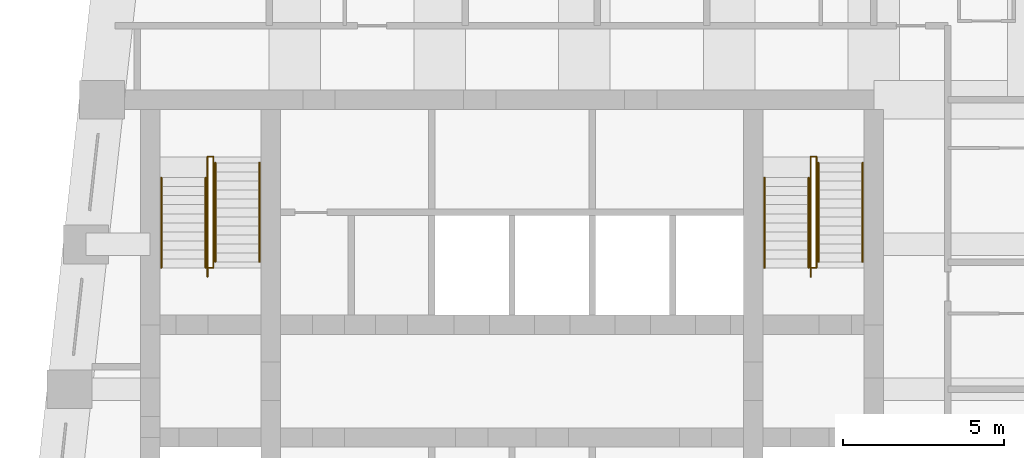
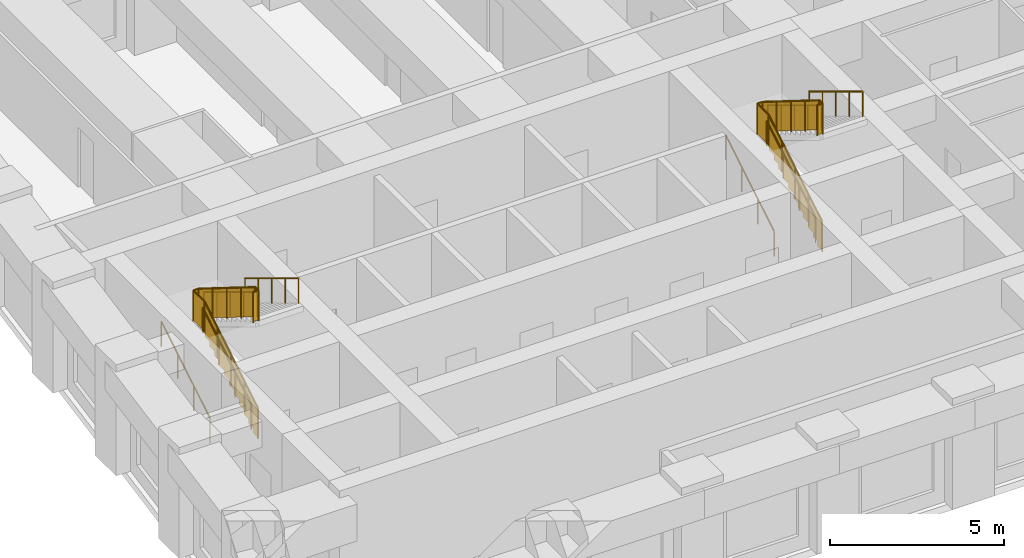
# One storey, part 7 of 7: 12 railings.
"""IFC4 building model written with IfcOpenShell, lengths in metres."""

from ifc_helpers import new_model, si_unit, direction, frame, origin, origin_2d, place, context, subcontext, project, spatial, polyline, circle, outline, extrude, material, type_object, element, save


model = new_model("IFC4")

# Units and contexts
model_context = context("Model", 3, precision=1e-05, world=origin(), true_north=direction((0.0, 1.0)))
body_context = subcontext(model_context, "Body", "Model", "MODEL_VIEW")
ifc_project = project(units=[si_unit("LENGTHUNIT", "METRE"), si_unit("AREAUNIT", "SQUARE_METRE"), si_unit("VOLUMEUNIT", "CUBIC_METRE"), si_unit("PLANEANGLEUNIT", "RADIAN"), si_unit("MASSUNIT", "GRAM", prefix="KILO")], contexts=[model_context])

# Site, building, storey
site_placement = place(None, origin())
site = spatial("IfcSite", under=ifc_project, at=site_placement, CompositionType="ELEMENT")
building_placement = place(site_placement, origin())
building = spatial("IfcBuilding", under=site, at=building_placement, Name="Kilele Tower Hotel", CompositionType="ELEMENT")
storey_placement = place(building_placement, frame((0.0, 0.0, 274.10009765625)))
storey = spatial("IfcBuildingStorey", under=building, at=storey_placement, Name="L70", CompositionType="ELEMENT", Elevation=274.10009765625)

# Railings
ifc_material_1 = material(Name="Steel handrail", Category="steel")
railing_type_1 = type_object("IfcRailingType", Name="Handrail 900", PredefinedType="HANDRAIL", material=ifc_material_1)
for number, where, name in (
    (1, (13.85009765625, 21.77490234375, 0.16943359375), "Handrail ST1 flight 1"),
    (2, (15.22509765625, 21.77490234375, 0.16943359375), "Handrail ST1 flight 1"),
):
    element("IfcRailing", number, at=place(storey_placement, frame(where)), inside=storey, type_object=railing_type_1, Name=name, PredefinedType="HANDRAIL", context=body_context, shape_type="SweptSolid", body=[
        extrude(circle(Radius=0.02490234375, at=origin_2d()), frame((0.0, 0.0, 0.875), z_axis=(0.0, 0.855360072898, 0.518033923302), x_axis=(-1.0, 0.0, 0.0)), (0.0, 0.0, 1.0), 3.2734375),
        extrude(circle(Radius=0.02001953125, at=origin_2d()), origin(), (0.0, 0.0, 1.0), 0.849853515625),
        extrude(circle(Radius=0.02001953125, at=origin_2d()), frame((0.0, 0.933349609375, 0.565185546875)), (0.0, 0.0, 1.0), 0.849853515625),
        extrude(circle(Radius=0.02001953125, at=origin_2d()), frame((0.0, 1.86669921875, 1.130615234375)), (0.0, 0.0, 1.0), 0.849853515625),
        extrude(circle(Radius=0.02001953125, at=origin_2d()), frame((0.0, 2.800048828125, 1.69580078125)), (0.0, 0.0, 1.0), 0.849853515625),
    ])
for number, where, name in (
    (3, (15.52490234375, 25.0400390625, 2.03466796875), "Handrail ST1 flight 2"),
    (4, (16.89990234375, 25.0400390625, 2.03466796875), "Handrail ST1 flight 2"),
):
    element("IfcRailing", number, at=place(storey_placement, frame(where)), inside=storey, type_object=railing_type_1, Name=name, PredefinedType="HANDRAIL", context=body_context, shape_type="SweptSolid", body=[
        extrude(circle(Radius=0.02490234375, at=origin_2d()), frame((0.0, 0.0, 0.875), z_axis=(0.0, -0.855379917629, 0.518001154937), x_axis=(1.0, 0.0, 0.0)), (0.0, 0.0, 1.0), 3.600830078125),
        extrude(circle(Radius=0.02001953125, at=origin_2d()), origin(), (0.0, 0.0, 1.0), 0.849853515625),
        extrude(circle(Radius=0.02001953125, at=origin_2d()), frame((0.0, -0.77001953125, 0.46630859375)), (0.0, 0.0, 1.0), 0.849853515625),
        extrude(circle(Radius=0.02001953125, at=origin_2d()), frame((0.0, -1.5400390625, 0.9326171875)), (0.0, 0.0, 1.0), 0.849853515625),
        extrude(circle(Radius=0.02001953125, at=origin_2d()), frame((0.0, -2.31005859375, 1.39892578125)), (0.0, 0.0, 1.0), 0.849853515625),
        extrude(circle(Radius=0.02001953125, at=origin_2d()), frame((0.0, -3.080078125, 1.865234375)), (0.0, 0.0, 1.0), 0.849853515625),
    ])
for number, where, name in (
    (5, (32.60009765625, 21.77490234375, 0.16943359375), "Handrail ST2 flight 1"),
    (6, (33.97509765625, 21.77490234375, 0.16943359375), "Handrail ST2 flight 1"),
):
    element("IfcRailing", number, at=place(storey_placement, frame(where)), inside=storey, type_object=railing_type_1, Name=name, PredefinedType="HANDRAIL", context=body_context, shape_type="SweptSolid", body=[
        extrude(circle(Radius=0.02490234375, at=origin_2d()), frame((0.0, 0.0, 0.875), z_axis=(0.0, 0.855360072898, 0.518033923302), x_axis=(-1.0, 0.0, 0.0)), (0.0, 0.0, 1.0), 3.2734375),
        extrude(circle(Radius=0.02001953125, at=origin_2d()), origin(), (0.0, 0.0, 1.0), 0.849853515625),
        extrude(circle(Radius=0.02001953125, at=origin_2d()), frame((0.0, 0.933349609375, 0.565185546875)), (0.0, 0.0, 1.0), 0.849853515625),
        extrude(circle(Radius=0.02001953125, at=origin_2d()), frame((0.0, 1.86669921875, 1.130615234375)), (0.0, 0.0, 1.0), 0.849853515625),
        extrude(circle(Radius=0.02001953125, at=origin_2d()), frame((0.0, 2.800048828125, 1.69580078125)), (0.0, 0.0, 1.0), 0.849853515625),
    ])
for number, where, name in (
    (7, (34.27490234375, 25.0400390625, 2.03466796875), "Handrail ST2 flight 2"),
    (8, (35.64990234375, 25.0400390625, 2.03466796875), "Handrail ST2 flight 2"),
):
    element("IfcRailing", number, at=place(storey_placement, frame(where)), inside=storey, type_object=railing_type_1, Name=name, PredefinedType="HANDRAIL", context=body_context, shape_type="SweptSolid", body=[
        extrude(circle(Radius=0.02490234375, at=origin_2d()), frame((0.0, 0.0, 0.875), z_axis=(0.0, -0.855379917629, 0.518001154937), x_axis=(1.0, 0.0, 0.0)), (0.0, 0.0, 1.0), 3.600830078125),
        extrude(circle(Radius=0.02001953125, at=origin_2d()), origin(), (0.0, 0.0, 1.0), 0.849853515625),
        extrude(circle(Radius=0.02001953125, at=origin_2d()), frame((0.0, -0.77001953125, 0.46630859375)), (0.0, 0.0, 1.0), 0.849853515625),
        extrude(circle(Radius=0.02001953125, at=origin_2d()), frame((0.0, -1.5400390625, 0.9326171875)), (0.0, 0.0, 1.0), 0.849853515625),
        extrude(circle(Radius=0.02001953125, at=origin_2d()), frame((0.0, -2.31005859375, 1.39892578125)), (0.0, 0.0, 1.0), 0.849853515625),
        extrude(circle(Radius=0.02001953125, at=origin_2d()), frame((0.0, -3.080078125, 1.865234375)), (0.0, 0.0, 1.0), 0.849853515625),
    ])
ifc_material_2 = material(Name="Steel guard", Category="steel")
railing_type_2 = type_object("IfcRailingType", Name="Stair guard 1100", PredefinedType="GUARDRAIL", material=ifc_material_2)
railing_1_placement = place(storey_placement, frame((15.284912109375, 21.4951171875, 0.0)))
element("IfcRailing", 9, at=railing_1_placement, inside=storey, type_object=railing_type_2, Name="Stair well guard ST1 flight 1", PredefinedType="GUARDRAIL", context=body_context, shape_type="SweptSolid", body=[
    extrude(circle(Radius=0.02490234375, at=origin_2d()), frame((0.0, 0.0, 1.0751953125), z_axis=(0.0, 0.855391767622, 0.517981586434), x_axis=(-1.0, 0.0, 0.0)), (0.0, 0.0, 1.0), 3.6005859375),
    extrude(circle(Radius=0.02490234375, at=origin_2d()), frame((0.0, 3.079833984375, 2.93994140625), z_axis=(0.0, 1.0, 0.0), x_axis=(-1.0, 0.0, 0.0)), (0.0, 0.0, 1.0), 0.650146484375),
    extrude(circle(Radius=0.02490234375, at=origin_2d()), frame((0.0, 3.72998046875, 2.93994140625), z_axis=(1.0, 0.0, 0.0), x_axis=(0.0, 1.0, 0.0)), (0.0, 0.0, 1.0), 0.18017578125),
    extrude(circle(Radius=0.02490234375, at=origin_2d()), origin(), (0.0, 0.0, 1.0), 1.050048828125),
    extrude(circle(Radius=0.02490234375, at=origin_2d()), frame((0.0, 0.77001953125, 0.46630859375)), (0.0, 0.0, 1.0), 1.050048828125),
    extrude(circle(Radius=0.02490234375, at=origin_2d()), frame((0.0, 1.5400390625, 0.9326171875)), (0.0, 0.0, 1.0), 1.050048828125),
    extrude(circle(Radius=0.02490234375, at=origin_2d()), frame((0.0, 2.309814453125, 1.398681640625)), (0.0, 0.0, 1.0), 1.050048828125),
    extrude(circle(Radius=0.02490234375, at=origin_2d()), frame((0.0, 3.079833984375, 1.864990234375)), (0.0, 0.0, 1.0), 1.050048828125),
    extrude(circle(Radius=0.02490234375, at=origin_2d()), frame((0.0, 3.72998046875, 1.864990234375)), (0.0, 0.0, 1.0), 1.050048828125),
    extrude(circle(Radius=0.02490234375, at=origin_2d()), frame((0.18017578125, 3.72998046875, 1.864990234375)), (0.0, 0.0, 1.0), 1.050048828125),
    extrude(outline(polyline([(0.012451171875, 0.030029296875), (0.25, 0.030029296875), (0.25, 0.199462890625), (0.530029296875, 0.199462890625), (0.530029296875, 0.369140625), (0.809814453125, 0.369140625), (0.809814453125, 0.53857421875), (1.08984375, 0.53857421875), (1.08984375, 0.708251953125), (1.369873046875, 0.708251953125), (1.369873046875, 0.877685546875), (1.64990234375, 0.877685546875), (1.64990234375, 1.04736328125), (1.929931640625, 1.04736328125), (1.929931640625, 1.216796875), (2.2099609375, 1.216796875), (2.2099609375, 1.386474609375), (2.48974609375, 1.386474609375), (2.48974609375, 1.555908203125), (2.769775390625, 1.555908203125), (2.769775390625, 1.7255859375), (3.0498046875, 1.7255859375), (3.0498046875, 1.89501953125), (3.0673828125, 1.89501953125), (3.0673828125, 2.9033203125), (0.012451171875, 1.053466796875), (0.012451171875, 0.030029296875)])), frame((-0.005859375, 0.0, 0.0), z_axis=(1.0, 0.0, 0.0), x_axis=(0.0, 1.0, 0.0)), (0.0, 0.0, 1.0), 0.011962890625),
    extrude(outline(polyline([(0.012451171875, 0.030029296875), (0.6376953125, 0.030029296875), (0.6376953125, 1.050048828125), (0.012451171875, 1.050048828125), (0.012451171875, 0.030029296875)])), frame((-0.005859375, 3.079833984375, 1.864990234375), z_axis=(1.0, 0.0, 0.0), x_axis=(0.0, 1.0, 0.0)), (0.0, 0.0, 1.0), 0.011962890625),
    extrude(outline(polyline([(0.012451171875, 0.030029296875), (0.18017578125, 0.030029296875), (0.18017578125, 1.050048828125), (0.012451171875, 1.050048828125), (0.012451171875, 0.030029296875)])), frame((0.0, 3.73583984375, 1.864990234375), z_axis=(0.0, -1.0, 0.0), x_axis=(1.0, 0.0, 0.0)), (0.0, 0.0, 1.0), 0.011962890625),
])
railing_2_placement = place(storey_placement, frame((15.465087890625, 25.22509765625, 1.864990234375)))
element("IfcRailing", 10, at=railing_2_placement, inside=storey, type_object=railing_type_2, Name="Stair well guard ST1 flight 2", PredefinedType="GUARDRAIL", context=body_context, shape_type="SweptSolid", body=[
    extrude(circle(Radius=0.02490234375, at=origin_2d()), frame((0.0, 0.0, 1.0751953125), z_axis=(0.0, -0.848674962302, 0.528914745834), x_axis=(1.0, 0.0, 0.0)), (0.0, 0.0, 1.0), 3.847412109375),
    extrude(circle(Radius=0.02490234375, at=origin_2d()), frame((0.0, -3.26513671875, 3.10986328125), z_axis=(0.0, -1.0, 0.0), x_axis=(1.0, 0.0, 0.0)), (0.0, 0.0, 1.0), 0.18505859375),
    extrude(circle(Radius=0.02490234375, at=origin_2d()), frame((0.0, -3.4501953125, 3.10986328125), z_axis=(-1.0, 0.0, 0.0), x_axis=(0.0, -1.0, 0.0)), (0.0, 0.0, 1.0), 0.18017578125),
    extrude(circle(Radius=0.02490234375, at=origin_2d()), origin(), (0.0, 0.0, 1.0), 1.050048828125),
    extrude(circle(Radius=0.02490234375, at=origin_2d()), frame((0.0, -0.81640625, 0.5087890625)), (0.0, 0.0, 1.0), 1.050048828125),
    extrude(circle(Radius=0.02490234375, at=origin_2d()), frame((0.0, -1.632568359375, 1.017578125)), (0.0, 0.0, 1.0), 1.050048828125),
    extrude(circle(Radius=0.02490234375, at=origin_2d()), frame((0.0, -2.44873046875, 1.526123046875)), (0.0, 0.0, 1.0), 1.050048828125),
    extrude(circle(Radius=0.02490234375, at=origin_2d()), frame((0.0, -3.26513671875, 2.034912109375)), (0.0, 0.0, 1.0), 1.050048828125),
    extrude(circle(Radius=0.02490234375, at=origin_2d()), frame((0.0, -3.4501953125, 2.034912109375)), (0.0, 0.0, 1.0), 1.050048828125),
    extrude(circle(Radius=0.02490234375, at=origin_2d()), frame((-0.18017578125, -3.4501953125, 2.034912109375)), (0.0, 0.0, 1.0), 1.050048828125),
    extrude(outline(polyline([(0.0, 0.030029296875), (3.252685546875, 2.05712890625), (3.252685546875, 3.07275390625), (0.0, 1.045654296875), (0.0, 0.030029296875)])), frame((0.005859375, 0.0, 0.0), z_axis=(-1.0, 0.0, 0.0), x_axis=(0.0, -1.0, 0.0)), (0.0, 0.0, 1.0), 0.011962890625),
    extrude(outline(polyline([(0.012451171875, 0.030029296875), (0.172607421875, 0.030029296875), (0.172607421875, 1.050048828125), (0.012451171875, 1.050048828125), (0.012451171875, 0.030029296875)])), frame((0.005859375, -3.26513671875, 2.034912109375), z_axis=(-1.0, 0.0, 0.0), x_axis=(0.0, -1.0, 0.0)), (0.0, 0.0, 1.0), 0.011962890625),
    extrude(outline(polyline([(0.012451171875, 0.030029296875), (0.18017578125, 0.030029296875), (0.18017578125, 1.050048828125), (0.012451171875, 1.050048828125), (0.012451171875, 0.030029296875)])), frame((0.0, -3.4560546875, 2.034912109375), z_axis=(0.0, 1.0, 0.0), x_axis=(-1.0, 0.0, 0.0)), (0.0, 0.0, 1.0), 0.011962890625),
])
railing_3_placement = place(storey_placement, frame((34.034912109375, 21.4951171875, 0.0)))
element("IfcRailing", 11, at=railing_3_placement, inside=storey, type_object=railing_type_2, Name="Stair well guard ST2 flight 1", PredefinedType="GUARDRAIL", context=body_context, shape_type="SweptSolid", body=[
    extrude(circle(Radius=0.02490234375, at=origin_2d()), frame((0.0, 0.0, 1.0751953125), z_axis=(0.0, 0.855391767622, 0.517981586434), x_axis=(-1.0, 0.0, 0.0)), (0.0, 0.0, 1.0), 3.6005859375),
    extrude(circle(Radius=0.02490234375, at=origin_2d()), frame((0.0, 3.079833984375, 2.93994140625), z_axis=(0.0, 1.0, 0.0), x_axis=(-1.0, 0.0, 0.0)), (0.0, 0.0, 1.0), 0.650146484375),
    extrude(circle(Radius=0.02490234375, at=origin_2d()), frame((0.0, 3.72998046875, 2.93994140625), z_axis=(1.0, 0.0, 0.0), x_axis=(0.0, 1.0, 0.0)), (0.0, 0.0, 1.0), 0.18017578125),
    extrude(circle(Radius=0.02490234375, at=origin_2d()), origin(), (0.0, 0.0, 1.0), 1.050048828125),
    extrude(circle(Radius=0.02490234375, at=origin_2d()), frame((0.0, 0.77001953125, 0.46630859375)), (0.0, 0.0, 1.0), 1.050048828125),
    extrude(circle(Radius=0.02490234375, at=origin_2d()), frame((0.0, 1.5400390625, 0.9326171875)), (0.0, 0.0, 1.0), 1.050048828125),
    extrude(circle(Radius=0.02490234375, at=origin_2d()), frame((0.0, 2.309814453125, 1.398681640625)), (0.0, 0.0, 1.0), 1.050048828125),
    extrude(circle(Radius=0.02490234375, at=origin_2d()), frame((0.0, 3.079833984375, 1.864990234375)), (0.0, 0.0, 1.0), 1.050048828125),
    extrude(circle(Radius=0.02490234375, at=origin_2d()), frame((0.0, 3.72998046875, 1.864990234375)), (0.0, 0.0, 1.0), 1.050048828125),
    extrude(circle(Radius=0.02490234375, at=origin_2d()), frame((0.18017578125, 3.72998046875, 1.864990234375)), (0.0, 0.0, 1.0), 1.050048828125),
    extrude(outline(polyline([(0.012451171875, 0.030029296875), (0.25, 0.030029296875), (0.25, 0.199462890625), (0.530029296875, 0.199462890625), (0.530029296875, 0.369140625), (0.809814453125, 0.369140625), (0.809814453125, 0.53857421875), (1.08984375, 0.53857421875), (1.08984375, 0.708251953125), (1.369873046875, 0.708251953125), (1.369873046875, 0.877685546875), (1.64990234375, 0.877685546875), (1.64990234375, 1.04736328125), (1.929931640625, 1.04736328125), (1.929931640625, 1.216796875), (2.2099609375, 1.216796875), (2.2099609375, 1.386474609375), (2.48974609375, 1.386474609375), (2.48974609375, 1.555908203125), (2.769775390625, 1.555908203125), (2.769775390625, 1.7255859375), (3.0498046875, 1.7255859375), (3.0498046875, 1.89501953125), (3.0673828125, 1.89501953125), (3.0673828125, 2.9033203125), (0.012451171875, 1.053466796875), (0.012451171875, 0.030029296875)])), frame((-0.005859375, 0.0, 0.0), z_axis=(1.0, 0.0, 0.0), x_axis=(0.0, 1.0, 0.0)), (0.0, 0.0, 1.0), 0.011962890625),
    extrude(outline(polyline([(0.012451171875, 0.030029296875), (0.6376953125, 0.030029296875), (0.6376953125, 1.050048828125), (0.012451171875, 1.050048828125), (0.012451171875, 0.030029296875)])), frame((-0.005859375, 3.079833984375, 1.864990234375), z_axis=(1.0, 0.0, 0.0), x_axis=(0.0, 1.0, 0.0)), (0.0, 0.0, 1.0), 0.011962890625),
    extrude(outline(polyline([(0.012451171875, 0.030029296875), (0.18017578125, 0.030029296875), (0.18017578125, 1.050048828125), (0.012451171875, 1.050048828125), (0.012451171875, 0.030029296875)])), frame((0.0, 3.73583984375, 1.864990234375), z_axis=(0.0, -1.0, 0.0), x_axis=(1.0, 0.0, 0.0)), (0.0, 0.0, 1.0), 0.011962890625),
])
railing_4_placement = place(storey_placement, frame((34.215087890625, 25.22509765625, 1.864990234375)))
element("IfcRailing", 12, at=railing_4_placement, inside=storey, type_object=railing_type_2, Name="Stair well guard ST2 flight 2", PredefinedType="GUARDRAIL", context=body_context, shape_type="SweptSolid", body=[
    extrude(circle(Radius=0.02490234375, at=origin_2d()), frame((0.0, 0.0, 1.0751953125), z_axis=(0.0, -0.848674962302, 0.528914745834), x_axis=(1.0, 0.0, 0.0)), (0.0, 0.0, 1.0), 3.847412109375),
    extrude(circle(Radius=0.02490234375, at=origin_2d()), frame((0.0, -3.26513671875, 3.10986328125), z_axis=(0.0, -1.0, 0.0), x_axis=(1.0, 0.0, 0.0)), (0.0, 0.0, 1.0), 0.18505859375),
    extrude(circle(Radius=0.02490234375, at=origin_2d()), frame((0.0, -3.4501953125, 3.10986328125), z_axis=(-1.0, 0.0, 0.0), x_axis=(0.0, -1.0, 0.0)), (0.0, 0.0, 1.0), 0.18017578125),
    extrude(circle(Radius=0.02490234375, at=origin_2d()), origin(), (0.0, 0.0, 1.0), 1.050048828125),
    extrude(circle(Radius=0.02490234375, at=origin_2d()), frame((0.0, -0.81640625, 0.5087890625)), (0.0, 0.0, 1.0), 1.050048828125),
    extrude(circle(Radius=0.02490234375, at=origin_2d()), frame((0.0, -1.632568359375, 1.017578125)), (0.0, 0.0, 1.0), 1.050048828125),
    extrude(circle(Radius=0.02490234375, at=origin_2d()), frame((0.0, -2.44873046875, 1.526123046875)), (0.0, 0.0, 1.0), 1.050048828125),
    extrude(circle(Radius=0.02490234375, at=origin_2d()), frame((0.0, -3.26513671875, 2.034912109375)), (0.0, 0.0, 1.0), 1.050048828125),
    extrude(circle(Radius=0.02490234375, at=origin_2d()), frame((0.0, -3.4501953125, 2.034912109375)), (0.0, 0.0, 1.0), 1.050048828125),
    extrude(circle(Radius=0.02490234375, at=origin_2d()), frame((-0.18017578125, -3.4501953125, 2.034912109375)), (0.0, 0.0, 1.0), 1.050048828125),
    extrude(outline(polyline([(0.0, 0.030029296875), (3.252685546875, 2.05712890625), (3.252685546875, 3.07275390625), (0.0, 1.045654296875), (0.0, 0.030029296875)])), frame((0.005859375, 0.0, 0.0), z_axis=(-1.0, 0.0, 0.0), x_axis=(0.0, -1.0, 0.0)), (0.0, 0.0, 1.0), 0.011962890625),
    extrude(outline(polyline([(0.012451171875, 0.030029296875), (0.172607421875, 0.030029296875), (0.172607421875, 1.050048828125), (0.012451171875, 1.050048828125), (0.012451171875, 0.030029296875)])), frame((0.005859375, -3.26513671875, 2.034912109375), z_axis=(-1.0, 0.0, 0.0), x_axis=(0.0, -1.0, 0.0)), (0.0, 0.0, 1.0), 0.011962890625),
    extrude(outline(polyline([(0.012451171875, 0.030029296875), (0.18017578125, 0.030029296875), (0.18017578125, 1.050048828125), (0.012451171875, 1.050048828125), (0.012451171875, 0.030029296875)])), frame((0.0, -3.4560546875, 2.034912109375), z_axis=(0.0, 1.0, 0.0), x_axis=(-1.0, 0.0, 0.0)), (0.0, 0.0, 1.0), 0.011962890625),
])

save(model, "model.ifc")
